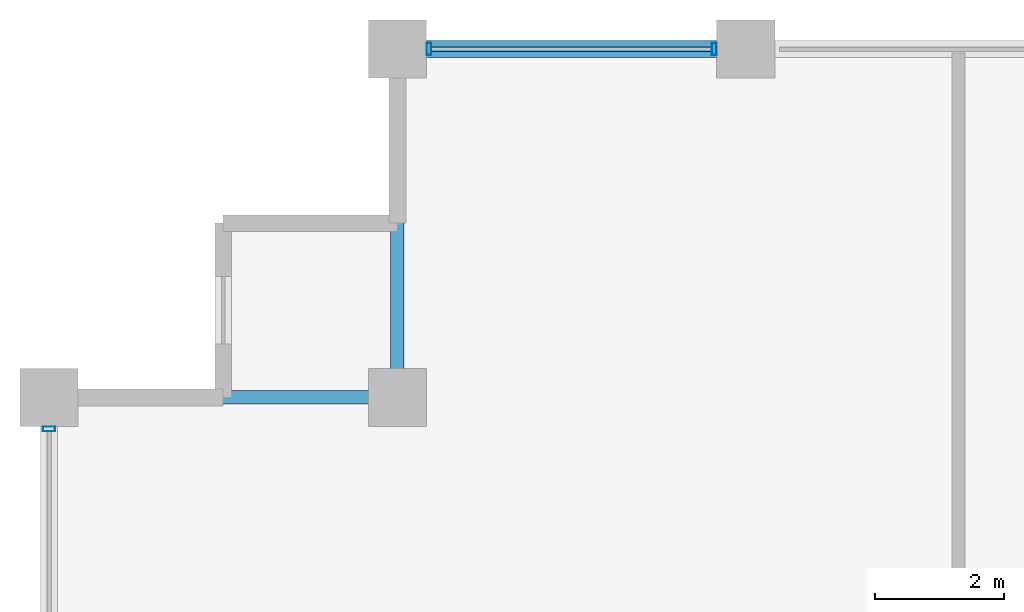
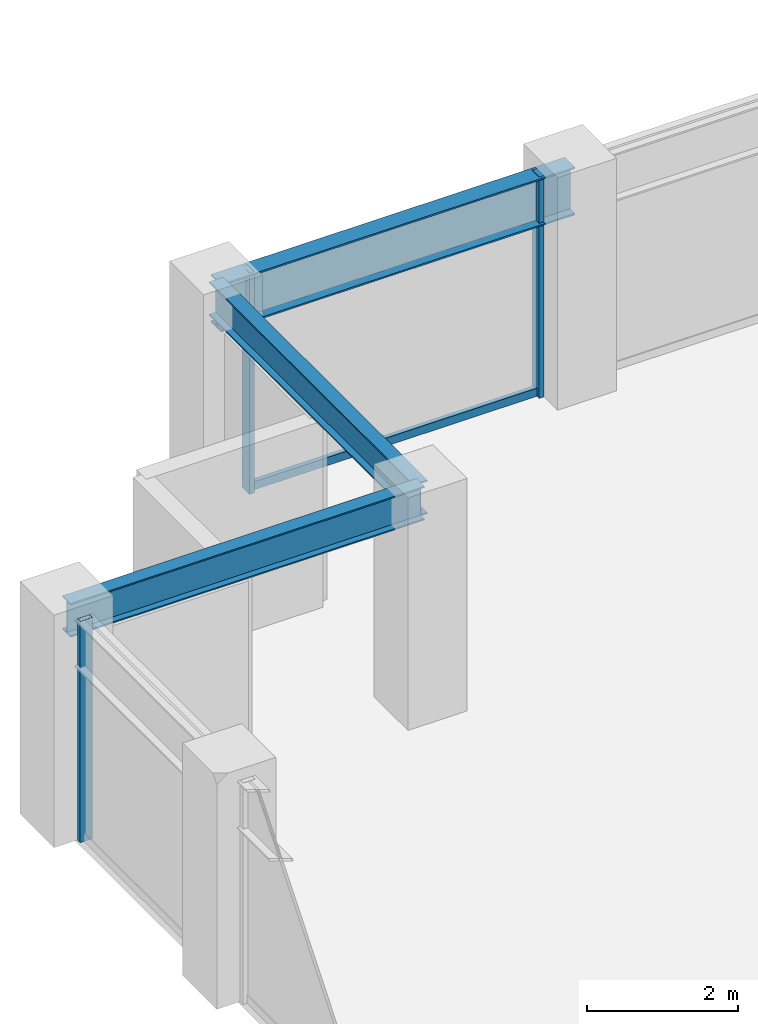
# One storey, part 18 of 32: 4 members, 3 beams, 2 elements without a shape of their own.
"""IFC4 building model written with IfcOpenShell, lengths in metres."""

import ifcopenshell
import ifcopenshell.guid

model = None  # the IFC model being written
_history = None  # IfcOwnerHistory: only IFC2X3 demands one
_inside = {}  # id of a spatial element -> (the spatial element, [elements in it])
_under = {}  # id of a project, library or spatial element -> (it, [spatial elements below it])
_declared = {}  # id of a project -> (the project, [libraries it declares])
_typed = {}  # id of a type object -> (the type object, [elements of that type])
_made_of = {}  # id of a material, layer set ... -> (it, [elements and type objects made of it])


def new_model(schema):
    """Start an empty IFC model of exactly this schema.

    Asked for "IFC4X3", IfcOpenShell would pick the latest addendum, in which some entities
    have other attributes; the version numbers below select the first issue.
    IFC2X3 requires an IfcOwnerHistory on every rooted entity: one is made here for all.
    """
    global model, _history
    if schema == "IFC4X3":
        model = ifcopenshell.file(schema_version=(4, 3, 0, 0))
    else:
        model = ifcopenshell.file(schema=schema)
    _inside.clear()
    _under.clear()
    _declared.clear()
    _typed.clear()
    _made_of.clear()
    _history = None
    if model.schema == "IFC2X3":
        org = make("IfcOrganization", Name="unknown")
        user = make(
            "IfcPersonAndOrganization",
            ThePerson=make("IfcPerson", FamilyName="unknown"),
            TheOrganization=org,
        )
        app = make(
            "IfcApplication",
            ApplicationDeveloper=org,
            Version="unknown",
            ApplicationFullName="unknown",
            ApplicationIdentifier="unknown",
        )
        _history = make(
            "IfcOwnerHistory",
            OwningUser=user,
            OwningApplication=app,
            ChangeAction="ADDED",
            CreationDate=0,
        )
    return model


def make(cls, **values):
    """One entity of the class cls with the attributes given. An attribute that is None is left unset."""
    return model.create_entity(
        cls, **{name: value for name, value in values.items() if value is not None}
    )


def rooted(cls, **values):
    """An entity with a GlobalId (a new one), such as an element, a storey or a relation."""
    return make(cls, GlobalId=ifcopenshell.guid.new(), OwnerHistory=_history, **values)


def si_unit(unit_type, name, prefix=None):
    """IfcSIUnit, for example si_unit("LENGTHUNIT", "METRE", prefix="MILLI")."""
    return make("IfcSIUnit", UnitType=unit_type, Prefix=prefix, Name=name)


def assignment(units):
    """IfcUnitAssignment: the units of a project."""
    return None if units is None else make("IfcUnitAssignment", Units=units)


def point(xyz):
    """IfcCartesianPoint."""
    return None if xyz is None else make("IfcCartesianPoint", Coordinates=xyz)


def direction(xyz):
    """IfcDirection."""
    return None if xyz is None else make("IfcDirection", DirectionRatios=xyz)


def frame(location, z_axis=None, x_axis=None):
    """IfcAxis2Placement3D, a coordinate frame: its origin and axes. An axis left out is left unset."""
    return make(
        "IfcAxis2Placement3D",
        Location=point(location),
        Axis=direction(z_axis),
        RefDirection=direction(x_axis),
    )


def frame_2d(location, x_axis=None):
    """IfcAxis2Placement2D, a coordinate frame in the plane: its origin and x axis."""
    return make(
        "IfcAxis2Placement2D", Location=point(location), RefDirection=direction(x_axis)
    )


def origin():
    """The frame at (0, 0, 0) with its axes left unset."""
    return frame((0.0, 0.0, 0.0))


def origin_2d():
    """The frame at (0, 0) in the plane with its x axis left unset."""
    return frame_2d((0.0, 0.0))


def place(relative_to, where):
    """IfcLocalPlacement: puts the frame where relative to a parent placement (None: the world)."""
    return make(
        "IfcLocalPlacement", PlacementRelTo=relative_to, RelativePlacement=where
    )


def context(
    kind, dimensions, precision=None, world=None, true_north=None, identifier=None
):
    """IfcGeometricRepresentationContext, for example the 3D "Model" context."""
    return make(
        "IfcGeometricRepresentationContext",
        ContextIdentifier=identifier,
        ContextType=kind,
        CoordinateSpaceDimension=dimensions,
        Precision=precision,
        WorldCoordinateSystem=world,
        TrueNorth=true_north,
    )


def subcontext(parent, identifier, kind, view, scale=None):
    """IfcGeometricRepresentationSubContext, for example "Body" below "Model"."""
    return make(
        "IfcGeometricRepresentationSubContext",
        ContextIdentifier=identifier,
        ContextType=kind,
        ParentContext=parent,
        TargetScale=scale,
        TargetView=view,
    )


def project(units=None, contexts=None):
    """IfcProject with its units and contexts."""
    return rooted(
        "IfcProject",
        Name="project",
        RepresentationContexts=contexts,
        UnitsInContext=assignment(units),
    )


def spatial(cls, under=None, at=None, **own):
    """A site, building, storey or space (cls), placed at a placement, below another one or the project."""
    s = rooted(cls, ObjectPlacement=at, **own)
    if under is not None:
        _under.setdefault(under.id(), (under, []))[1].append(s)
    return s


def profile(cls, at=None, kind="AREA", **sizes):
    """A parametric profile (cls). Its sizes go by their IFC names, for example OverallWidth=200.0."""
    return make(cls, ProfileType=kind, Position=at, **sizes)


def hollow_rectangle(**sizes):
    """IfcRectangleHollowProfileDef."""
    return profile("IfcRectangleHollowProfileDef", **sizes)


def i_section(**sizes):
    """IfcIShapeProfileDef."""
    return profile("IfcIShapeProfileDef", **sizes)


def extrude(swept, where, along, depth):
    """IfcExtrudedAreaSolid: the profile swept, set in the frame where, extruded along a direction by depth."""
    return make(
        "IfcExtrudedAreaSolid",
        SweptArea=swept,
        Position=where,
        ExtrudedDirection=direction(along),
        Depth=depth,
    )


def shape(context_of_items, identifier, shape_type, items):
    """IfcShapeRepresentation: the items that make up one representation, for example the "Body"."""
    return make(
        "IfcShapeRepresentation",
        ContextOfItems=context_of_items,
        RepresentationIdentifier=identifier,
        RepresentationType=shape_type,
        Items=items,
    )


def material(Name=None, Category=None):
    """IfcMaterial."""
    return make("IfcMaterial", Name=Name, Category=Category)


def layer(
    of_material, thickness, ventilated=None, Name=None, Category=None, Priority=None
):
    """IfcMaterialLayer: one layer of a wall or slab, of a material (None: an air gap)."""
    return make(
        "IfcMaterialLayer",
        Material=of_material,
        LayerThickness=thickness,
        IsVentilated=ventilated,
        Name=Name,
        Category=Category,
        Priority=Priority,
    )


def layer_set(layers, Name=None):
    """IfcMaterialLayerSet."""
    return make("IfcMaterialLayerSet", MaterialLayers=layers, LayerSetName=Name)


def material_profile(
    of_material, cross_section, Name=None, Category=None, Priority=None
):
    """IfcMaterialProfile: a cross section and its material."""
    return make(
        "IfcMaterialProfile",
        Name=Name,
        Material=of_material,
        Profile=cross_section,
        Priority=Priority,
        Category=Category,
    )


def profile_set(profiles, Name=None, composite=None):
    """IfcMaterialProfileSet."""
    return make(
        "IfcMaterialProfileSet",
        Name=Name,
        MaterialProfiles=profiles,
        CompositeProfile=composite,
    )


def made_of(thing, what):
    """Note that an element or type object is made of a material, layer set ...; save() writes the relation."""
    if what is not None:
        _made_of.setdefault(what.id(), (what, []))[1].append(thing)
    return thing


def type_object(cls, material=None, **own):
    """A type object (cls), such as IfcWallType, which elements share."""
    return made_of(rooted(cls, **own), material)


def element(
    cls,
    number,
    at=None,
    inside=None,
    cuts=None,
    type_object=None,
    material=None,
    context=None,
    identifier="Body",
    shape_type=None,
    held_by="IfcProductDefinitionShape",
    body=None,
    shapes=None,
    **own,
):
    """One element of the class cls, such as IfcWall. Its Tag is "e" and its number.

    at: its placement. inside: the storey or other place that contains it. cuts: it is an
    opening in that element (IfcRelVoidsElement). A single representation is given by context,
    identifier, shape_type and body (its items); several are given by shapes. held_by: the class
    of the entity that holds the representations. save() writes the other relations.
    """
    e = rooted(cls, Tag="e%d" % number, ObjectPlacement=at, **own)
    if body is not None:
        shapes = [shape(context, identifier, shape_type, body)]
    if shapes is not None:
        e.Representation = make(held_by, Representations=shapes)
    if inside is not None:
        _inside.setdefault(inside.id(), (inside, []))[1].append(e)
    if cuts is not None:
        rooted(
            "IfcRelVoidsElement", RelatingBuildingElement=cuts, RelatedOpeningElement=e
        )
    if type_object is not None:
        _typed.setdefault(type_object.id(), (type_object, []))[1].append(e)
    return made_of(e, material)


def aggregate(whole, parts):
    """IfcRelAggregates: a whole, such as a stair, and the parts it consists of."""
    return rooted("IfcRelAggregates", RelatingObject=whole, RelatedObjects=parts)


def save(model, path):
    """Write the relations noted so far, then the file.

    IfcRelAggregates (storeys below a building ...), IfcRelContainedInSpatialStructure (elements
    in a storey), IfcRelDefinesByType, IfcRelAssociatesMaterial and IfcRelDeclares: one each for
    every whole, place, type object, material and project.
    """
    for whole, parts in _under.values():
        aggregate(whole, parts)
    for where, things in _inside.values():
        rooted(
            "IfcRelContainedInSpatialStructure",
            RelatedElements=things,
            RelatingStructure=where,
        )
    for kind, things in _typed.values():
        rooted("IfcRelDefinesByType", RelatedObjects=things, RelatingType=kind)
    for what, things in _made_of.values():
        rooted("IfcRelAssociatesMaterial", RelatedObjects=things, RelatingMaterial=what)
    for by, libraries in _declared.values():
        rooted("IfcRelDeclares", RelatingContext=by, RelatedDefinitions=libraries)
    model.write(path)


model = new_model("IFC4")

# Units and contexts
model_context = context("Model", 3, precision=1e-05, world=origin(), true_north=direction((0.0, 1.0)))
body_context = subcontext(model_context, "Body", "Model", "MODEL_VIEW")
ifc_project = project(units=[si_unit("LENGTHUNIT", "METRE"), si_unit("AREAUNIT", "SQUARE_METRE"), si_unit("VOLUMEUNIT", "CUBIC_METRE"), si_unit("PLANEANGLEUNIT", "RADIAN"), si_unit("MASSUNIT", "GRAM", prefix="KILO")], contexts=[model_context])

# Site, building, storey
site_placement = place(None, origin())
site = spatial("IfcSite", under=ifc_project, at=site_placement, CompositionType="ELEMENT")
building_placement = place(site_placement, origin())
building = spatial("IfcBuilding", under=site, at=building_placement, Name="Surkhivell Harbour Commons", CompositionType="ELEMENT")
storey_placement = place(building_placement, frame((0.0, 0.0, 212.25)))
storey = spatial("IfcBuildingStorey", under=building, at=storey_placement, Name="L55", CompositionType="ELEMENT", Elevation=212.25)

# Beams
ifc_material_1 = material(Name="Steel S355", Category="steel")
ifc_material_profile_1 = material_profile(ifc_material_1, i_section(OverallWidth=0.2119140625, OverallDepth=0.5439453125, WebThickness=0.0126953125, FlangeThickness=0.021240234375, at=origin_2d()), Name="UB533x210x122")
ifc_profile_set_1 = profile_set([ifc_material_profile_1], Name="Steel S355")
beam_type_1 = type_object("IfcBeamType", Name="BM-GRD-533A", PredefinedType="BEAM", material=ifc_profile_set_1)
for number, where, z_axis, x_axis, name in (
    (1, (-27.0, 20.5, 3.298095703125), (1.0, 0.0, 0.0), (0.0, 1.0, 0.0), "L55 Floor Girder (-27.0,20.5)"),
    (2, (-21.60009765625, 20.5, 3.298095703125), (0.0, 1.0, 0.0), (-1.0, 0.0, 0.0), "L55 Floor Girder (-21.6,20.5)"),
):
    element("IfcBeam", number, at=place(storey_placement, frame(where, z_axis=z_axis, x_axis=x_axis)), inside=storey, type_object=beam_type_1, Name=name, PredefinedType="BEAM", context=body_context, shape_type="SweptSolid", body=[
        extrude(i_section(OverallWidth=0.2119140625, OverallDepth=0.5439453125, WebThickness=0.0126953125, FlangeThickness=0.021240234375, at=origin_2d()), origin(), (0.0, 0.0, 1.0), 5.39990234375),
    ])
ifc_material_profile_2 = material_profile(ifc_material_1, i_section(OverallWidth=0.26806640625, OverallDepth=0.77001953125, WebThickness=0.015625, FlangeThickness=0.025390625, at=origin_2d()), Name="UB762x267x197")
ifc_profile_set_2 = profile_set([ifc_material_profile_2], Name="Steel S355")
beam_type_2 = type_object("IfcBeamType", Name="BM-SPN-762", PredefinedType="SPANDREL", material=ifc_profile_set_2)
beam_placement = place(storey_placement, frame((-21.60009765625, 25.89990234375, 3.18505859375), z_axis=(1.0, 0.0, 0.0), x_axis=(0.0, 1.0, 0.0)))
element("IfcBeam", 3, at=beam_placement, inside=storey, type_object=beam_type_2, Name="L55 Tube Spandrel (-21.6,25.9)", PredefinedType="SPANDREL", context=body_context, shape_type="SweptSolid", body=[
    extrude(i_section(OverallWidth=0.26806640625, OverallDepth=0.77001953125, WebThickness=0.015625, FlangeThickness=0.025390625, at=origin_2d()), origin(), (0.0, 0.0, 1.0), 5.400146484375),
])

# Curtain wall, members
ifc_material_2 = material(Name="Anodised pale-metal aluminium and insulated glazing", Category="aluminium")
ifc_layer = layer(ifc_material_2, 0.18994140625)
ifc_layer_set = layer_set([ifc_layer], Name="Anodised pale-metal aluminium and insulated glazing")
curtain_wall_type = type_object("IfcCurtainWallType", Name="CW-SYS-Z3", PredefinedType="NOTDEFINED", material=ifc_layer_set)
curtain_wall_1_placement = place(storey_placement, origin())
curtain_wall_1 = element("IfcCurtainWall", 4, at=curtain_wall_1_placement, inside=storey, type_object=curtain_wall_type, Name="L55 Curtain Wall CW-L55-E07S2", PredefinedType="NOTDEFINED")
ifc_material_3 = material(Name="Anodised pale-metal aluminium alloy 6063-T6", Category="aluminium")
ifc_material_profile_3 = material_profile(ifc_material_3, hollow_rectangle(XDim=0.074951171875, YDim=0.18994140625, WallThickness=0.00390625, at=origin_2d()), Name="ALU-MULL-75x190")
ifc_profile_set_3 = profile_set([ifc_material_profile_3], Name="Anodised pale-metal aluminium alloy 6063-T6")
member_type_1 = type_object("IfcMemberType", Name="CWM-190", PredefinedType="MULLION", material=ifc_profile_set_3)
member_1_placement = place(storey_placement, frame((-16.689453125, 25.89990234375, 0.0), z_axis=(0.0, 0.0, 1.0), x_axis=(-1.0, 0.0, 0.0)))
member_1 = element("IfcMember", 5, at=member_1_placement, type_object=member_type_1, Name="CW-Z3 mullion 3", PredefinedType="MULLION", context=body_context, shape_type="SweptSolid", body=[
    extrude(hollow_rectangle(XDim=0.074951171875, YDim=0.18994140625, WallThickness=0.00390625, at=origin_2d()), origin(), (0.0, 0.0, 1.0), 3.570068359375),
])
member_2_placement = place(storey_placement, frame((-21.110595703125, 25.89990234375, 0.0), z_axis=(0.0, 0.0, 1.0), x_axis=(-1.0, 0.0, 0.0)))
member_2 = element("IfcMember", 6, at=member_2_placement, type_object=member_type_1, Name="CW-Z3 mullion 4", PredefinedType="MULLION", context=body_context, shape_type="SweptSolid", body=[
    extrude(hollow_rectangle(XDim=0.074951171875, YDim=0.18994140625, WallThickness=0.00390625, at=origin_2d()), origin(), (0.0, 0.0, 1.0), 3.570068359375),
])

# Curtain wall, member
curtain_wall_2_placement = place(storey_placement, origin())
curtain_wall_2 = element("IfcCurtainWall", 7, at=curtain_wall_2_placement, inside=storey, type_object=curtain_wall_type, Name="L55 Curtain Wall CW-L55-E12S1", PredefinedType="NOTDEFINED")
member_3_placement = place(storey_placement, frame((-27.0, 20.010498046875, 0.0), z_axis=(0.0, 0.0, 1.0), x_axis=(0.0, -1.0, 0.0)))
member_3 = element("IfcMember", 8, at=member_3_placement, type_object=member_type_1, Name="CW-Z3 mullion 1", PredefinedType="MULLION", context=body_context, shape_type="SweptSolid", body=[
    extrude(hollow_rectangle(XDim=0.074951171875, YDim=0.18994140625, WallThickness=0.00390625, at=origin_2d()), origin(), (0.0, 0.0, 1.0), 3.570068359375),
])
aggregate(curtain_wall_2, [member_3])

# Member
ifc_material_4 = material(Name="Champagne anodised aluminium alloy 6063-T6", Category="aluminium")
ifc_material_profile_4 = material_profile(ifc_material_4, hollow_rectangle(XDim=0.070068359375, YDim=0.1298828125, WallThickness=0.00341796875, at=origin_2d()), Name="ALU-TRAN-70x130")
ifc_profile_set_4 = profile_set([ifc_material_profile_4], Name="Champagne anodised aluminium alloy 6063-T6")
member_type_2 = type_object("IfcMemberType", Name="CWT-130", PredefinedType="USERDEFINED", material=ifc_profile_set_4)
member_4_placement = place(storey_placement, frame((-16.72705078125, 25.89990234375, 0.06494140625), z_axis=(-1.0, 0.0, 0.0), x_axis=(0.0, -1.0, 0.0)))
member_4 = element("IfcMember", 9, at=member_4_placement, type_object=member_type_2, Name="CW-Z3 transom 3.1", ObjectType="TRANSOM", PredefinedType="USERDEFINED", context=body_context, shape_type="SweptSolid", body=[
    extrude(hollow_rectangle(XDim=0.070068359375, YDim=0.1298828125, WallThickness=0.00341796875, at=origin_2d()), origin(), (0.0, 0.0, 1.0), 4.345947265625),
])

aggregate(curtain_wall_1, [member_1, member_2, member_4])

save(model, "model.ifc")
